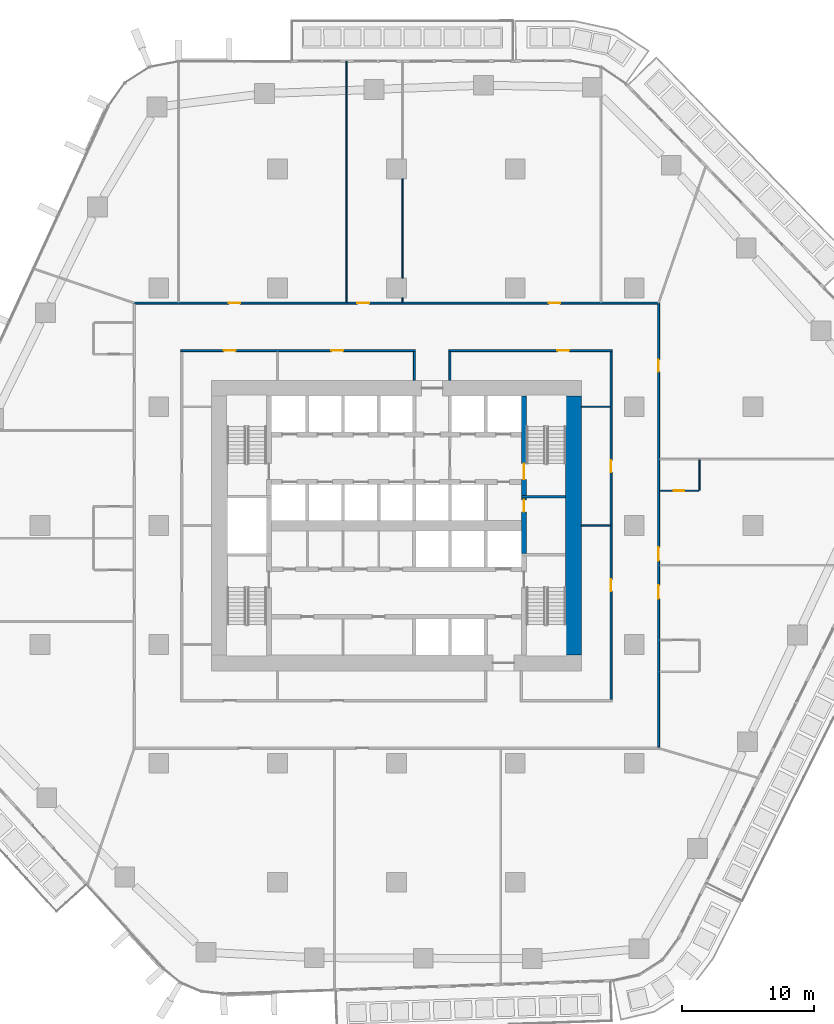
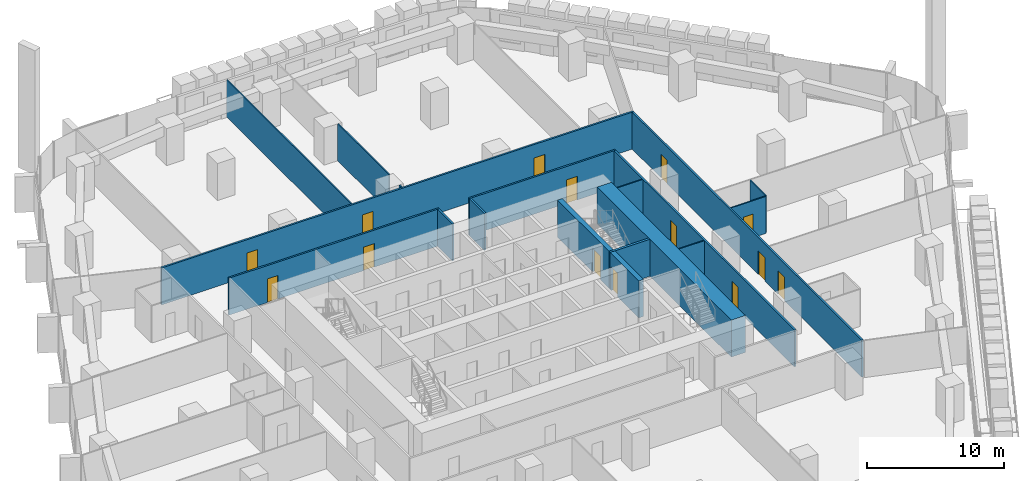
# One storey, part 16 of 26: 18 walls, 14 doors, 14 openings.
"""IFC4 building model written with IfcOpenShell, lengths in metres."""

from ifc_helpers import new_model, si_unit, direction, frame, frame_2d, origin, place, context, subcontext, project, spatial, rectangle, extrude, material, layer, layer_set, type_object, element, fill, save


model = new_model("IFC4")

# Units and contexts
model_context = context("Model", 3, precision=1e-05, world=origin(), true_north=direction((0.0, 1.0)))
body_context = subcontext(model_context, "Body", "Model", "MODEL_VIEW")
ifc_project = project(units=[si_unit("LENGTHUNIT", "METRE"), si_unit("AREAUNIT", "SQUARE_METRE"), si_unit("VOLUMEUNIT", "CUBIC_METRE"), si_unit("PLANEANGLEUNIT", "RADIAN"), si_unit("MASSUNIT", "GRAM", prefix="KILO")], contexts=[model_context])

# Site, building, storey
site_placement = place(None, origin())
site = spatial("IfcSite", under=ifc_project, at=site_placement, CompositionType="ELEMENT")
building_placement = place(site_placement, origin())
building = spatial("IfcBuilding", under=site, at=building_placement, Name="Dongbaek Canopy Tower", CompositionType="ELEMENT")
storey_placement = place(building_placement, frame((0.0, 0.0, 66.199951171875)))
storey = spatial("IfcBuildingStorey", under=building, at=storey_placement, Name="L12", CompositionType="ELEMENT", Elevation=66.199951171875)

# Wall
ifc_material_1 = material(Name="Concrete C60/75", Category="concrete")
ifc_layer_1 = layer(ifc_material_1, 1.199951171875)
ifc_layer_set_1 = layer_set([ifc_layer_1], Name="Core outer wall 1200 Concrete C60/75")
wall_type_1 = type_object("IfcWallType", Name="Core outer wall 1200 Concrete C60/75", PredefinedType="SHEAR", material=ifc_layer_set_1)
wall_1_placement = place(storey_placement, frame((13.39990234375, 9.800048828125, 0.0), z_axis=(0.0, 0.0, 1.0), x_axis=(0.0, -1.0, 0.0)))
element("IfcWall", 1, at=wall_1_placement, inside=storey, type_object=wall_type_1, Name="Core wall", PredefinedType="SHEAR", context=body_context, shape_type="SweptSolid", body=[
    extrude(rectangle(XDim=19.60009765625, YDim=1.199951171875, at=frame_2d((9.800048828125, 0.0))), origin(), (0.0, 0.0, 1.0), 3.300048828125),
])

# Wall, openings, doors
ifc_material_2 = material(Name="Gypsum board partition, steel stud, 2 x 15 mm fire board", Category="steel")
ifc_layer_2 = layer(ifc_material_2, 0.14990234375)
ifc_layer_set_2 = layer_set([ifc_layer_2], Name="Fire-rated partition 150 gypsum board")
wall_type_2 = type_object("IfcWallType", Name="Fire-rated partition 150 gypsum board", PredefinedType="PARTITIONING", material=ifc_layer_set_2)
wall_2_placement = place(storey_placement, frame((1.425048828125, 13.25, 0.0), z_axis=(0.0, 0.0, 1.0), x_axis=(-1.0, 0.0, 0.0)))
wall_2 = element("IfcWall", 2, at=wall_2_placement, inside=storey, type_object=wall_type_2, Name="Corridor partition", PredefinedType="PARTITIONING", context=body_context, shape_type="SweptSolid", body=[
    extrude(rectangle(XDim=17.75, YDim=0.14990234375, at=frame_2d((8.875, 0.0))), origin(), (0.0, 0.0, 1.0), 3.300048828125),
])
opening_1_placement = place(wall_2_placement, frame((5.47509765625, 0.0, 0.0)))
opening_1 = element("IfcOpeningElement", 3, at=opening_1_placement, cuts=wall_2, Name="Opening L12-D024", PredefinedType="OPENING", context=body_context, shape_type="SweptSolid", body=[
    extrude(rectangle(XDim=0.89990234375, YDim=2.10009765625, at=frame_2d((0.449951171875, 1.050048828125))), frame((0.0, 0.0849609375, 0.0), z_axis=(0.0, -1.0, 0.0), x_axis=(1.0, 0.0, 0.0)), (0.0, 0.0, 1.0), 0.169921875),
])
opening_2_placement = place(wall_2_placement, frame((13.60009765625, 0.0, 0.0)))
opening_2 = element("IfcOpeningElement", 4, at=opening_2_placement, cuts=wall_2, Name="Opening L12-D025", PredefinedType="OPENING", context=body_context, shape_type="SweptSolid", body=[
    extrude(rectangle(XDim=0.89990234375, YDim=2.10009765625, at=frame_2d((0.449951171875, 1.050048828125))), frame((0.0, 0.0849609375, 0.0), z_axis=(0.0, -1.0, 0.0), x_axis=(1.0, 0.0, 0.0)), (0.0, 0.0, 1.0), 0.169921875),
])
ifc_material_3 = material(Name="Timber veneered door leaf", Category="wood")
door_type_1 = type_object("IfcDoorType", Name="Room door 900 x 2100", OperationType="SINGLE_SWING_LEFT", PredefinedType="DOOR", material=ifc_material_3)
door_1_placement = place(opening_1_placement, origin())
door_1 = element("IfcDoor", 5, at=door_1_placement, inside=storey, type_object=door_type_1, Name="Door L12-D024", OperationType="SINGLE_SWING_RIGHT", OverallHeight=2.10009765625, OverallWidth=0.89990234375, PredefinedType="DOOR", context=body_context, shape_type="SweptSolid", body=[
    extrude(rectangle(XDim=0.89990234375, YDim=2.10009765625, at=frame_2d((0.449951171875, 1.050048828125))), frame((0.0, 0.02490234375, 0.0), z_axis=(0.0, -1.0, 0.0), x_axis=(1.0, 0.0, 0.0)), (0.0, 0.0, 1.0), 0.050048828125),
])
fill(opening_1, door_1)
door_2_placement = place(opening_2_placement, origin())
door_2 = element("IfcDoor", 6, at=door_2_placement, inside=storey, type_object=door_type_1, Name="Door L12-D025", OperationType="SINGLE_SWING_LEFT", OverallHeight=2.10009765625, OverallWidth=0.89990234375, PredefinedType="DOOR", context=body_context, shape_type="SweptSolid", body=[
    extrude(rectangle(XDim=0.89990234375, YDim=2.10009765625, at=frame_2d((0.449951171875, 1.050048828125))), frame((0.0, 0.02490234375, 0.0), z_axis=(0.0, -1.0, 0.0), x_axis=(1.0, 0.0, 0.0)), (0.0, 0.0, 1.0), 0.050048828125),
])
fill(opening_2, door_2)

# Wall, opening, door
wall_3_placement = place(storey_placement, frame((16.324951171875, 13.25, 0.0), z_axis=(0.0, 0.0, 1.0), x_axis=(-1.0, 0.0, 0.0)))
wall_3 = element("IfcWall", 7, at=wall_3_placement, inside=storey, type_object=wall_type_2, Name="Corridor partition", PredefinedType="PARTITIONING", context=body_context, shape_type="SweptSolid", body=[
    extrude(rectangle(XDim=12.349853515625, YDim=0.14990234375, at=frame_2d((6.1748046875, 0.0))), origin(), (0.0, 0.0, 1.0), 3.300048828125),
])
opening_3_placement = place(wall_3_placement, frame((3.25, 0.0, 0.0)))
opening_3 = element("IfcOpeningElement", 8, at=opening_3_placement, cuts=wall_3, Name="Opening L12-D023", PredefinedType="OPENING", context=body_context, shape_type="SweptSolid", body=[
    extrude(rectangle(XDim=0.89990234375, YDim=2.10009765625, at=frame_2d((0.449951171875, 1.050048828125))), frame((0.0, 0.0849609375, 0.0), z_axis=(0.0, -1.0, 0.0), x_axis=(1.0, 0.0, 0.0)), (0.0, 0.0, 1.0), 0.169921875),
])
door_3_placement = place(opening_3_placement, origin())
door_3 = element("IfcDoor", 9, at=door_3_placement, inside=storey, type_object=door_type_1, Name="Door L12-D023", OperationType="SINGLE_SWING_LEFT", OverallHeight=2.10009765625, OverallWidth=0.89990234375, PredefinedType="DOOR", context=body_context, shape_type="SweptSolid", body=[
    extrude(rectangle(XDim=0.89990234375, YDim=2.10009765625, at=frame_2d((0.449951171875, 1.050048828125))), frame((0.0, 0.02490234375, 0.0), z_axis=(0.0, -1.0, 0.0), x_axis=(1.0, 0.0, 0.0)), (0.0, 0.0, 1.0), 0.050048828125),
])
fill(opening_3, door_3)

# Wall, openings, doors
wall_4_placement = place(storey_placement, frame((-19.925048828125, 16.85009765625, 0.0), z_axis=(0.0, 0.0, 1.0), x_axis=(1.0, 0.0, 0.0)))
wall_4 = element("IfcWall", 10, at=wall_4_placement, inside=storey, type_object=wall_type_2, Name="Corridor partition", PredefinedType="PARTITIONING", context=body_context, shape_type="SweptSolid", body=[
    extrude(rectangle(XDim=39.85009765625, YDim=0.14990234375, at=frame_2d((19.925048828125, 0.0))), origin(), (0.0, 0.0, 1.0), 3.300048828125),
])
opening_4_placement = place(wall_4_placement, frame((31.436279296875, 0.0, 0.0)))
opening_4 = element("IfcOpeningElement", 11, at=opening_4_placement, cuts=wall_4, Name="Opening L12-D011", PredefinedType="OPENING", context=body_context, shape_type="SweptSolid", body=[
    extrude(rectangle(XDim=0.89990234375, YDim=2.10009765625, at=frame_2d((0.449951171875, 1.050048828125))), frame((0.0, 0.0849609375, 0.0), z_axis=(0.0, -1.0, 0.0), x_axis=(1.0, 0.0, 0.0)), (0.0, 0.0, 1.0), 0.169921875),
])
opening_5_placement = place(wall_4_placement, frame((16.9541015625, 0.0, 0.0)))
opening_5 = element("IfcOpeningElement", 12, at=opening_5_placement, cuts=wall_4, Name="Opening L12-D012", PredefinedType="OPENING", context=body_context, shape_type="SweptSolid", body=[
    extrude(rectangle(XDim=0.89990234375, YDim=2.10009765625, at=frame_2d((0.449951171875, 1.050048828125))), frame((0.0, 0.0849609375, 0.0), z_axis=(0.0, -1.0, 0.0), x_axis=(1.0, 0.0, 0.0)), (0.0, 0.0, 1.0), 0.169921875),
])
opening_6_placement = place(wall_4_placement, frame((7.20849609375, 0.0, 0.0)))
opening_6 = element("IfcOpeningElement", 13, at=opening_6_placement, cuts=wall_4, Name="Opening L12-D013", PredefinedType="OPENING", context=body_context, shape_type="SweptSolid", body=[
    extrude(rectangle(XDim=0.89990234375, YDim=2.10009765625, at=frame_2d((0.449951171875, 1.050048828125))), frame((0.0, 0.0849609375, 0.0), z_axis=(0.0, -1.0, 0.0), x_axis=(1.0, 0.0, 0.0)), (0.0, 0.0, 1.0), 0.169921875),
])
door_4_placement = place(opening_4_placement, origin())
door_4 = element("IfcDoor", 14, at=door_4_placement, inside=storey, type_object=door_type_1, Name="Door L12-D011", OperationType="SINGLE_SWING_RIGHT", OverallHeight=2.10009765625, OverallWidth=0.89990234375, PredefinedType="DOOR", context=body_context, shape_type="SweptSolid", body=[
    extrude(rectangle(XDim=0.89990234375, YDim=2.10009765625, at=frame_2d((0.449951171875, 1.050048828125))), frame((0.0, 0.02490234375, 0.0), z_axis=(0.0, -1.0, 0.0), x_axis=(1.0, 0.0, 0.0)), (0.0, 0.0, 1.0), 0.050048828125),
])
fill(opening_4, door_4)
door_5_placement = place(opening_5_placement, origin())
door_5 = element("IfcDoor", 15, at=door_5_placement, inside=storey, type_object=door_type_1, Name="Door L12-D012", OperationType="SINGLE_SWING_LEFT", OverallHeight=2.10009765625, OverallWidth=0.89990234375, PredefinedType="DOOR", context=body_context, shape_type="SweptSolid", body=[
    extrude(rectangle(XDim=0.89990234375, YDim=2.10009765625, at=frame_2d((0.449951171875, 1.050048828125))), frame((0.0, 0.02490234375, 0.0), z_axis=(0.0, -1.0, 0.0), x_axis=(1.0, 0.0, 0.0)), (0.0, 0.0, 1.0), 0.050048828125),
])
fill(opening_5, door_5)
door_6_placement = place(opening_6_placement, origin())
door_6 = element("IfcDoor", 16, at=door_6_placement, inside=storey, type_object=door_type_1, Name="Door L12-D013", OperationType="SINGLE_SWING_RIGHT", OverallHeight=2.10009765625, OverallWidth=0.89990234375, PredefinedType="DOOR", context=body_context, shape_type="SweptSolid", body=[
    extrude(rectangle(XDim=0.89990234375, YDim=2.10009765625, at=frame_2d((0.449951171875, 1.050048828125))), frame((0.0, 0.02490234375, 0.0), z_axis=(0.0, -1.0, 0.0), x_axis=(1.0, 0.0, 0.0)), (0.0, 0.0, 1.0), 0.050048828125),
])
fill(opening_6, door_6)

wall_5_placement = place(storey_placement, frame((19.85009765625, 16.77490234375, 0.0), z_axis=(0.0, 0.0, 1.0), x_axis=(0.0, -1.0, 0.0)))
wall_5 = element("IfcWall", 17, at=wall_5_placement, inside=storey, type_object=wall_type_2, Name="Corridor partition", PredefinedType="PARTITIONING", context=body_context, shape_type="SweptSolid", body=[
    extrude(rectangle(XDim=33.5498046875, YDim=0.14990234375, at=frame_2d((16.77490234375, 0.0))), origin(), (0.0, 0.0, 1.0), 3.300048828125),
])
opening_7_placement = place(wall_5_placement, frame((21.29345703125, 0.0, 0.0)))
opening_7 = element("IfcOpeningElement", 18, at=opening_7_placement, cuts=wall_5, Name="Opening L12-D007", PredefinedType="OPENING", context=body_context, shape_type="SweptSolid", body=[
    extrude(rectangle(XDim=1.0, YDim=2.10009765625, at=frame_2d((0.5, 1.050048828125))), frame((0.0, 0.0849609375, 0.0), z_axis=(0.0, -1.0, 0.0), x_axis=(1.0, 0.0, 0.0)), (0.0, 0.0, 1.0), 0.169921875),
])
opening_8_placement = place(wall_5_placement, frame((18.426513671875, 0.0, 0.0)))
opening_8 = element("IfcOpeningElement", 19, at=opening_8_placement, cuts=wall_5, Name="Opening L12-D009", PredefinedType="OPENING", context=body_context, shape_type="SweptSolid", body=[
    extrude(rectangle(XDim=1.0, YDim=2.10009765625, at=frame_2d((0.5, 1.050048828125))), frame((0.0, 0.0849609375, 0.0), z_axis=(0.0, -1.0, 0.0), x_axis=(1.0, 0.0, 0.0)), (0.0, 0.0, 1.0), 0.169921875),
])
opening_9_placement = place(wall_5_placement, frame((4.210693359375, 0.0, 0.0)))
opening_9 = element("IfcOpeningElement", 20, at=opening_9_placement, cuts=wall_5, Name="Opening L12-D010", PredefinedType="OPENING", context=body_context, shape_type="SweptSolid", body=[
    extrude(rectangle(XDim=0.89990234375, YDim=2.10009765625, at=frame_2d((0.449951171875, 1.050048828125))), frame((0.0, 0.0849609375, 0.0), z_axis=(0.0, -1.0, 0.0), x_axis=(1.0, 0.0, 0.0)), (0.0, 0.0, 1.0), 0.169921875),
])
ifc_material_4 = material(Name="Timber veneered door leaf", Category="wood")
door_type_2 = type_object("IfcDoorType", Name="Guest room door 1000 x 2100", OperationType="SINGLE_SWING_LEFT", PredefinedType="DOOR", material=ifc_material_4)
door_7_placement = place(opening_7_placement, origin())
door_7 = element("IfcDoor", 21, at=door_7_placement, inside=storey, type_object=door_type_2, Name="Door L12-D007", OperationType="SINGLE_SWING_RIGHT", OverallHeight=2.10009765625, OverallWidth=1.0, PredefinedType="DOOR", context=body_context, shape_type="SweptSolid", body=[
    extrude(rectangle(XDim=1.0, YDim=2.10009765625, at=frame_2d((0.5, 1.050048828125))), frame((0.0, 0.02490234375, 0.0), z_axis=(0.0, -1.0, 0.0), x_axis=(1.0, 0.0, 0.0)), (0.0, 0.0, 1.0), 0.050048828125),
])
fill(opening_7, door_7)
door_8_placement = place(opening_8_placement, origin())
door_8 = element("IfcDoor", 22, at=door_8_placement, inside=storey, type_object=door_type_2, Name="Door L12-D009", OperationType="SINGLE_SWING_LEFT", OverallHeight=2.10009765625, OverallWidth=1.0, PredefinedType="DOOR", context=body_context, shape_type="SweptSolid", body=[
    extrude(rectangle(XDim=1.0, YDim=2.10009765625, at=frame_2d((0.5, 1.050048828125))), frame((0.0, 0.02490234375, 0.0), z_axis=(0.0, -1.0, 0.0), x_axis=(1.0, 0.0, 0.0)), (0.0, 0.0, 1.0), 0.050048828125),
])
fill(opening_8, door_8)
door_9_placement = place(opening_9_placement, origin())
door_9 = element("IfcDoor", 23, at=door_9_placement, inside=storey, type_object=door_type_1, Name="Door L12-D010", OperationType="SINGLE_SWING_RIGHT", OverallHeight=2.10009765625, OverallWidth=0.89990234375, PredefinedType="DOOR", context=body_context, shape_type="SweptSolid", body=[
    extrude(rectangle(XDim=0.89990234375, YDim=2.10009765625, at=frame_2d((0.449951171875, 1.050048828125))), frame((0.0, 0.02490234375, 0.0), z_axis=(0.0, -1.0, 0.0), x_axis=(1.0, 0.0, 0.0)), (0.0, 0.0, 1.0), 0.050048828125),
])
fill(opening_9, door_9)

wall_6_placement = place(storey_placement, frame((16.25, -13.175048828125, 0.0), z_axis=(0.0, 0.0, 1.0), x_axis=(0.0, 1.0, 0.0)))
wall_6 = element("IfcWall", 24, at=wall_6_placement, inside=storey, type_object=wall_type_2, Name="Corridor partition", PredefinedType="PARTITIONING", context=body_context, shape_type="SweptSolid", body=[
    extrude(rectangle(XDim=26.35009765625, YDim=0.14990234375, at=frame_2d((13.175048828125, 0.0))), origin(), (0.0, 0.0, 1.0), 3.300048828125),
])
opening_10_placement = place(wall_6_placement, frame((8.22509765625, 0.0, 0.0)))
opening_10 = element("IfcOpeningElement", 25, at=opening_10_placement, cuts=wall_6, Name="Opening L12-D021", PredefinedType="OPENING", context=body_context, shape_type="SweptSolid", body=[
    extrude(rectangle(XDim=0.89990234375, YDim=2.10009765625, at=frame_2d((0.449951171875, 1.050048828125))), frame((0.0, 0.0849609375, 0.0), z_axis=(0.0, -1.0, 0.0), x_axis=(1.0, 0.0, 0.0)), (0.0, 0.0, 1.0), 0.169921875),
])
opening_11_placement = place(wall_6_placement, frame((17.22509765625, 0.0, 0.0)))
opening_11 = element("IfcOpeningElement", 26, at=opening_11_placement, cuts=wall_6, Name="Opening L12-D022", PredefinedType="OPENING", context=body_context, shape_type="SweptSolid", body=[
    extrude(rectangle(XDim=0.89990234375, YDim=2.10009765625, at=frame_2d((0.449951171875, 1.050048828125))), frame((0.0, 0.0849609375, 0.0), z_axis=(0.0, -1.0, 0.0), x_axis=(1.0, 0.0, 0.0)), (0.0, 0.0, 1.0), 0.169921875),
])
door_10_placement = place(opening_10_placement, origin())
door_10 = element("IfcDoor", 27, at=door_10_placement, inside=storey, type_object=door_type_1, Name="Door L12-D021", OperationType="SINGLE_SWING_LEFT", OverallHeight=2.10009765625, OverallWidth=0.89990234375, PredefinedType="DOOR", context=body_context, shape_type="SweptSolid", body=[
    extrude(rectangle(XDim=0.89990234375, YDim=2.10009765625, at=frame_2d((0.449951171875, 1.050048828125))), frame((0.0, 0.02490234375, 0.0), z_axis=(0.0, -1.0, 0.0), x_axis=(1.0, 0.0, 0.0)), (0.0, 0.0, 1.0), 0.050048828125),
])
fill(opening_10, door_10)
door_11_placement = place(opening_11_placement, origin())
door_11 = element("IfcDoor", 28, at=door_11_placement, inside=storey, type_object=door_type_1, Name="Door L12-D022", OperationType="SINGLE_SWING_RIGHT", OverallHeight=2.10009765625, OverallWidth=0.89990234375, PredefinedType="DOOR", context=body_context, shape_type="SweptSolid", body=[
    extrude(rectangle(XDim=0.89990234375, YDim=2.10009765625, at=frame_2d((0.449951171875, 1.050048828125))), frame((0.0, 0.02490234375, 0.0), z_axis=(0.0, -1.0, 0.0), x_axis=(1.0, 0.0, 0.0)), (0.0, 0.0, 1.0), 0.050048828125),
])
fill(opening_11, door_11)

# Walls
for number, where, z_axis, x_axis, name in (
    (29, (4.050048828125, 11.0, 0.0), (0.0, 0.0, 1.0), (0.0, 1.0, 0.0), "Corridor partition"),
    (30, (1.35009765625, 11.0, 0.0), (0.0, 0.0, 1.0), (0.0, 1.0, 0.0), "Corridor partition"),
):
    element("IfcWall", number, at=place(storey_placement, frame(where, z_axis=z_axis, x_axis=x_axis)), inside=storey, type_object=wall_type_2, Name=name, PredefinedType="PARTITIONING", context=body_context, shape_type="SweptSolid", body=[
        extrude(rectangle(XDim=2.175048828125, YDim=0.14990234375, at=frame_2d((1.08740234375, 0.0))), origin(), (0.0, 0.0, 1.0), 3.300048828125),
    ])
ifc_material_5 = material(Name="Gypsum board partition, steel stud, 2 x 12.5 mm board", Category="steel")
ifc_layer_3 = layer(ifc_material_5, 0.10009765625)
ifc_layer_set_3 = layer_set([ifc_layer_3], Name="Partition 100 gypsum board")
wall_type_3 = type_object("IfcWallType", Name="Partition 100 gypsum board", PredefinedType="PARTITIONING", material=ifc_layer_set_3)
wall_7_placement = place(storey_placement, frame((14.0, 0.0, 0.0), z_axis=(0.0, 0.0, 1.0), x_axis=(1.0, 0.0, 0.0)))
element("IfcWall", 31, at=wall_7_placement, inside=storey, type_object=wall_type_3, Name="Partition", PredefinedType="PARTITIONING", context=body_context, shape_type="SweptSolid", body=[
    extrude(rectangle(XDim=2.175048828125, YDim=0.10009765625, at=frame_2d((1.08740234375, 0.0))), origin(), (0.0, 0.0, 1.0), 3.300048828125),
])

# Wall, opening, door
wall_8_placement = place(storey_placement, frame((19.925048828125, 2.638916015625, 0.0), z_axis=(0.0, 0.0, 1.0), x_axis=(1.0, 0.0, 0.0)))
wall_8 = element("IfcWall", 32, at=wall_8_placement, inside=storey, type_object=wall_type_3, Name="Partition", PredefinedType="PARTITIONING", context=body_context, shape_type="SweptSolid", body=[
    extrude(rectangle(XDim=2.974853515625, YDim=0.10009765625, at=frame_2d((1.4873046875, 0.0))), origin(), (0.0, 0.0, 1.0), 3.300048828125),
])
opening_12_placement = place(wall_8_placement, frame((1.074951171875, 0.0, 0.0)))
opening_12 = element("IfcOpeningElement", 33, at=opening_12_placement, cuts=wall_8, Name="Opening L12-D008", PredefinedType="OPENING", context=body_context, shape_type="SweptSolid", body=[
    extrude(rectangle(XDim=0.800048828125, YDim=2.10009765625, at=frame_2d((0.39990234375, 1.050048828125))), frame((0.0, 0.06005859375, 0.0), z_axis=(0.0, -1.0, 0.0), x_axis=(1.0, 0.0, 0.0)), (0.0, 0.0, 1.0), 0.1201171875),
])
ifc_material_6 = material(Name="Timber veneered door leaf", Category="wood")
door_type_3 = type_object("IfcDoorType", Name="En-suite door 800 x 2100", OperationType="SINGLE_SWING_LEFT", PredefinedType="DOOR", material=ifc_material_6)
door_12_placement = place(opening_12_placement, origin())
door_12 = element("IfcDoor", 34, at=door_12_placement, inside=storey, type_object=door_type_3, Name="Door L12-D008", OperationType="SINGLE_SWING_RIGHT", OverallHeight=2.10009765625, OverallWidth=0.800048828125, PredefinedType="DOOR", context=body_context, shape_type="SweptSolid", body=[
    extrude(rectangle(XDim=0.800048828125, YDim=2.10009765625, at=frame_2d((0.39990234375, 1.050048828125))), frame((0.0, 0.02490234375, 0.0), z_axis=(0.0, -1.0, 0.0), x_axis=(1.0, 0.0, 0.0)), (0.0, 0.0, 1.0), 0.050048828125),
])
fill(opening_12, door_12)

# Walls
wall_9_placement = place(storey_placement, frame((14.0, 9.0, 0.0), z_axis=(0.0, 0.0, 1.0), x_axis=(1.0, 0.0, 0.0)))
element("IfcWall", 35, at=wall_9_placement, inside=storey, type_object=wall_type_3, Name="Partition", PredefinedType="PARTITIONING", context=body_context, shape_type="SweptSolid", body=[
    extrude(rectangle(XDim=2.175048828125, YDim=0.10009765625, at=frame_2d((1.08740234375, 0.0))), origin(), (0.0, 0.0, 1.0), 3.300048828125),
])
wall_10_placement = place(storey_placement, frame((22.949951171875, 2.68896484375, 0.0), z_axis=(0.0, 0.0, 1.0), x_axis=(0.0, 1.0, 0.0)))
element("IfcWall", 36, at=wall_10_placement, inside=storey, type_object=wall_type_3, Name="Partition", PredefinedType="PARTITIONING", context=body_context, shape_type="SweptSolid", body=[
    extrude(rectangle(XDim=2.300048828125, YDim=0.10009765625, at=frame_2d((1.14990234375, 0.0))), origin(), (0.0, 0.0, 1.0), 3.300048828125),
])
wall_11_placement = place(storey_placement, frame((0.451904296875, 16.925048828125, 0.0), z_axis=(0.0, 0.0, 1.0), x_axis=(0.0, 1.0, 0.0)))
element("IfcWall", 37, at=wall_11_placement, inside=storey, type_object=wall_type_3, Name="Partition", PredefinedType="PARTITIONING", context=body_context, shape_type="SweptSolid", body=[
    extrude(rectangle(XDim=0.324951171875, YDim=0.10009765625, at=frame_2d((0.16259765625, 0.0))), origin(), (0.0, 0.0, 1.0), 3.300048828125),
])
wall_12_placement = place(storey_placement, frame((0.451904296875, 18.75, 0.0), z_axis=(0.0, 0.0, 1.0), x_axis=(0.0, 1.0, 0.0)))
element("IfcWall", 38, at=wall_12_placement, inside=storey, type_object=wall_type_3, Name="Partition", PredefinedType="PARTITIONING", context=body_context, shape_type="SweptSolid", body=[
    extrude(rectangle(XDim=7.5, YDim=0.10009765625, at=frame_2d((3.75, 0.0))), origin(), (0.0, 0.0, 1.0), 3.300048828125),
])
wall_13_placement = place(storey_placement, frame((-3.7890625, 16.925048828125, 0.0), z_axis=(0.0, 0.0, 1.0), x_axis=(0.0, 1.0, 0.0)))
element("IfcWall", 39, at=wall_13_placement, inside=storey, type_object=wall_type_3, Name="Partition", PredefinedType="PARTITIONING", context=body_context, shape_type="SweptSolid", body=[
    extrude(rectangle(XDim=18.226318359375, YDim=0.10009765625, at=frame_2d((9.11328125, 0.0))), origin(), (0.0, 0.0, 1.0), 3.300048828125),
])
ifc_material_7 = material(Name="Concrete C60/75", Category="concrete")
ifc_layer_4 = layer(ifc_material_7, 0.199951171875)
ifc_layer_set_4 = layer_set([ifc_layer_4], Name="Riser wall 200 Concrete C60/75")
wall_type_4 = type_object("IfcWallType", Name="Riser wall 200 Concrete C60/75", PredefinedType="SHEAR", material=ifc_layer_set_4)
wall_14_placement = place(storey_placement, frame((9.449951171875, 2.199951171875, 0.0), z_axis=(0.0, 0.0, 1.0), x_axis=(1.0, 0.0, 0.0)))
element("IfcWall", 40, at=wall_14_placement, inside=storey, type_object=wall_type_4, Name="Riser wall", PredefinedType="SHEAR", context=body_context, shape_type="SweptSolid", body=[
    extrude(rectangle(XDim=3.35009765625, YDim=0.199951171875, at=frame_2d((1.675048828125, 0.0))), origin(), (0.0, 0.0, 1.0), 3.300048828125),
])

# Wall, opening, door
ifc_material_8 = material(Name="Concrete C60/75", Category="concrete")
ifc_layer_5 = layer(ifc_material_8, 0.39990234375)
ifc_layer_set_5 = layer_set([ifc_layer_5], Name="Stair wall 400 Concrete C60/75")
wall_type_5 = type_object("IfcWallType", Name="Stair wall 400 Concrete C60/75", PredefinedType="SHEAR", material=ifc_layer_set_5)
wall_15_placement = place(storey_placement, frame((9.64990234375, 2.10009765625, 0.0), z_axis=(0.0, 0.0, 1.0), x_axis=(0.0, -1.0, 0.0)))
wall_15 = element("IfcWall", 41, at=wall_15_placement, inside=storey, type_object=wall_type_5, Name="Stair wall", PredefinedType="SHEAR", context=body_context, shape_type="SweptSolid", body=[
    extrude(rectangle(XDim=4.2001953125, YDim=0.39990234375, at=frame_2d((2.10009765625, 0.0))), origin(), (0.0, 0.0, 1.0), 3.300048828125),
])
opening_13_placement = place(wall_15_placement, frame((0.14990234375, 0.0, 0.0)))
opening_13 = element("IfcOpeningElement", 42, at=opening_13_placement, cuts=wall_15, Name="Opening L12-D027", PredefinedType="OPENING", context=body_context, shape_type="SweptSolid", body=[
    extrude(rectangle(XDim=0.89990234375, YDim=2.10009765625, at=frame_2d((0.449951171875, 1.050048828125))), frame((0.0, 0.2099609375, 0.0), z_axis=(0.0, -1.0, 0.0), x_axis=(1.0, 0.0, 0.0)), (0.0, 0.0, 1.0), 0.419921875),
])
ifc_material_9 = material(Name="Steel", Category="steel")
door_type_4 = type_object("IfcDoorType", Name="Core room door 900 x 2100", OperationType="SINGLE_SWING_LEFT", PredefinedType="DOOR", material=ifc_material_9)
door_13_placement = place(opening_13_placement, origin())
door_13 = element("IfcDoor", 43, at=door_13_placement, inside=storey, type_object=door_type_4, Name="Door L12-D027", OperationType="SINGLE_SWING_RIGHT", OverallHeight=2.10009765625, OverallWidth=0.89990234375, PredefinedType="DOOR", context=body_context, shape_type="SweptSolid", body=[
    extrude(rectangle(XDim=0.89990234375, YDim=2.10009765625, at=frame_2d((0.449951171875, 1.050048828125))), frame((0.0, 0.02490234375, 0.0), z_axis=(0.0, -1.0, 0.0), x_axis=(1.0, 0.0, 0.0)), (0.0, 0.0, 1.0), 0.050048828125),
])
fill(opening_13, door_13)

wall_16_placement = place(storey_placement, frame((9.64990234375, 9.800048828125, 0.0), z_axis=(0.0, 0.0, 1.0), x_axis=(0.0, -1.0, 0.0)))
wall_16 = element("IfcWall", 44, at=wall_16_placement, inside=storey, type_object=wall_type_5, Name="Stair wall", PredefinedType="SHEAR", context=body_context, shape_type="SweptSolid", body=[
    extrude(rectangle(XDim=7.5, YDim=0.39990234375, at=frame_2d((3.75, 0.0))), origin(), (0.0, 0.0, 1.0), 3.300048828125),
])
opening_14_placement = place(wall_16_placement, frame((5.10009765625, 0.0, 0.0)))
opening_14 = element("IfcOpeningElement", 45, at=opening_14_placement, cuts=wall_16, Name="Opening L12-D052", PredefinedType="OPENING", context=body_context, shape_type="SweptSolid", body=[
    extrude(rectangle(XDim=1.199951171875, YDim=2.10009765625, at=frame_2d((0.60009765625, 1.050048828125))), frame((0.0, 0.2099609375, 0.0), z_axis=(0.0, -1.0, 0.0), x_axis=(1.0, 0.0, 0.0)), (0.0, 0.0, 1.0), 0.419921875),
])
ifc_material_10 = material(Name="Steel", Category="steel")
door_type_5 = type_object("IfcDoorType", Name="Stair door 1200 x 2100", OperationType="SINGLE_SWING_LEFT", PredefinedType="DOOR", material=ifc_material_10)
door_14_placement = place(opening_14_placement, origin())
door_14 = element("IfcDoor", 46, at=door_14_placement, inside=storey, type_object=door_type_5, Name="Stair A door", OperationType="SINGLE_SWING_LEFT", OverallHeight=2.10009765625, OverallWidth=1.199951171875, PredefinedType="DOOR", context=body_context, shape_type="SweptSolid", body=[
    extrude(rectangle(XDim=1.199951171875, YDim=2.10009765625, at=frame_2d((0.60009765625, 1.050048828125))), frame((0.0, 0.02490234375, 0.0), z_axis=(0.0, -1.0, 0.0), x_axis=(1.0, 0.0, 0.0)), (0.0, 0.0, 1.0), 0.050048828125),
])
fill(opening_14, door_14)

save(model, "model.ifc")
